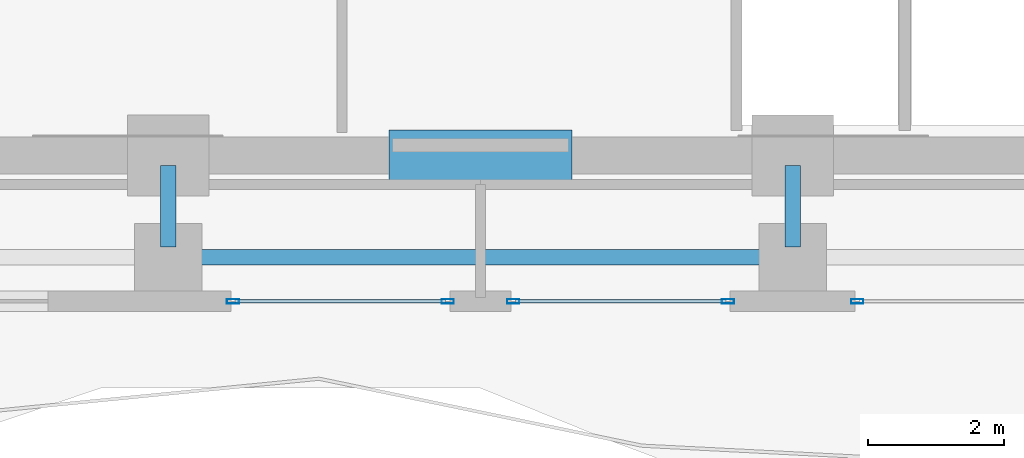
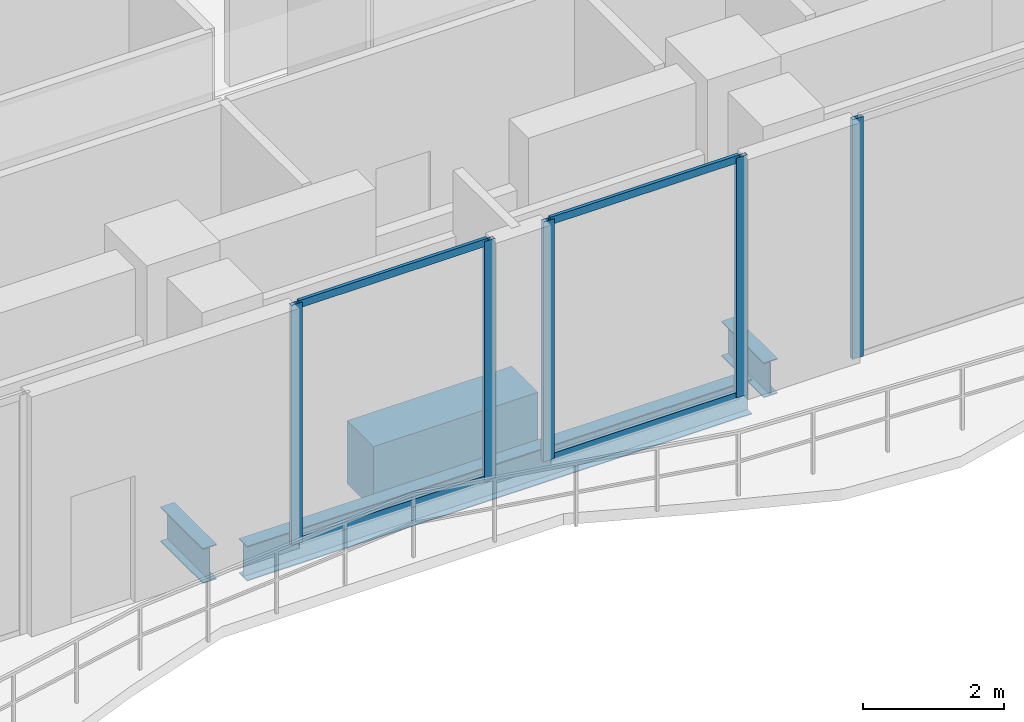
# One storey, part 4 of 24: 9 members, 4 beams, 3 elements without a shape of their own.
"""IFC4 building model written with IfcOpenShell, lengths in metres."""

from ifc_helpers import new_model, si_unit, direction, frame, origin, origin_2d, place, context, subcontext, project, spatial, rectangle, hollow_rectangle, i_section, extrude, material, layer, layer_set, material_profile, profile_set, type_object, element, aggregate, save


model = new_model("IFC4")

# Units and contexts
model_context = context("Model", 3, precision=1e-05, world=origin(), true_north=direction((0.0, 1.0)))
body_context = subcontext(model_context, "Body", "Model", "MODEL_VIEW")
ifc_project = project(units=[si_unit("LENGTHUNIT", "METRE"), si_unit("AREAUNIT", "SQUARE_METRE"), si_unit("VOLUMEUNIT", "CUBIC_METRE"), si_unit("PLANEANGLEUNIT", "RADIAN"), si_unit("MASSUNIT", "GRAM", prefix="KILO")], contexts=[model_context])

# Site, building, storey
site_placement = place(None, origin())
site = spatial("IfcSite", under=ifc_project, at=site_placement, CompositionType="ELEMENT")
building_placement = place(site_placement, origin())
building = spatial("IfcBuilding", under=site, at=building_placement, Name="Zuhayl Quay Hotel", CompositionType="ELEMENT")
storey_placement = place(building_placement, frame((0.0, 0.0, 292.85009765625)))
storey = spatial("IfcBuildingStorey", under=building, at=storey_placement, Name="L74", CompositionType="ELEMENT", Elevation=292.85009765625)

# Beams
ifc_material_1 = material(Name="Steel ASTM A992 Grade 50", Category="steel")
ifc_material_profile_1 = material_profile(ifc_material_1, i_section(OverallWidth=0.22802734375, OverallDepth=0.60693359375, WebThickness=0.01123046875, FlangeThickness=0.017333984375, at=origin_2d()), Name="W24X76")
ifc_profile_set_1 = profile_set([ifc_material_profile_1], Name="Steel ASTM A992 Grade 50")
beam_type_1 = type_object("IfcBeamType", Name="BM_B3_W24X76", PredefinedType="BEAM", material=ifc_profile_set_1)
beam_1_placement = place(storey_placement, frame((-4.139892578125, 0.64990234375, -0.523681640625), z_axis=(1.0, 0.0, 0.0), x_axis=(0.0, 1.0, 0.0)))
element("IfcBeam", 1, at=beam_1_placement, inside=storey, type_object=beam_type_1, Name="L74 Floor Beam RG_L74_02", PredefinedType="BEAM", context=body_context, shape_type="SweptSolid", body=[
    extrude(i_section(OverallWidth=0.22802734375, OverallDepth=0.60693359375, WebThickness=0.01123046875, FlangeThickness=0.017333984375, at=origin_2d()), origin(), (0.0, 0.0, 1.0), 8.27978515625),
])
for number, where, z_axis, x_axis, name in (
    (2, (-4.60009765625, 0.800048828125, -0.523681640625), (0.0, 1.0, 0.0), (-1.0, 0.0, 0.0), "L74 Floor Beam FG_S_L74_2"),
    (3, (4.60009765625, 0.800048828125, -0.523681640625), (0.0, 1.0, 0.0), (-1.0, 0.0, 0.0), "L74 Floor Beam FG_S_L74_3"),
):
    element("IfcBeam", number, at=place(storey_placement, frame(where, z_axis=z_axis, x_axis=x_axis)), inside=storey, type_object=beam_type_1, Name=name, PredefinedType="BEAM", context=body_context, shape_type="SweptSolid", body=[
        extrude(i_section(OverallWidth=0.22802734375, OverallDepth=0.60693359375, WebThickness=0.01123046875, FlangeThickness=0.017333984375, at=origin_2d()), origin(), (0.0, 0.0, 1.0), 1.199951171875),
    ])
ifc_material_2 = material(Name="Concrete C60/75", Category="concrete")
ifc_material_profile_2 = material_profile(ifc_material_2, rectangle(XDim=0.75, YDim=1.10009765625, at=origin_2d()), Name="RC750X1100")
ifc_profile_set_2 = profile_set([ifc_material_profile_2], Name="Concrete C60/75")
beam_type_2 = type_object("IfcBeamType", Name="BM_CB2_RC750", PredefinedType="T_BEAM", material=ifc_profile_set_2)
beam_2_placement = place(storey_placement, frame((-1.35009765625, 2.14990234375, -0.77001953125), z_axis=(1.0, 0.0, 0.0), x_axis=(0.0, 1.0, 0.0)))
element("IfcBeam", 4, at=beam_2_placement, inside=storey, type_object=beam_type_2, Name="L74 Core Coupling Beam South", PredefinedType="T_BEAM", context=body_context, shape_type="SweptSolid", body=[
    extrude(rectangle(XDim=0.75, YDim=1.10009765625, at=origin_2d()), origin(), (0.0, 0.0, 1.0), 2.7001953125),
])

# Curtain wall, member
ifc_material_3 = material(Name="Anodised Aluminium 6063-T6", Category="aluminium")
ifc_layer = layer(ifc_material_3, 0.169921875, Name="Anodised Aluminium 6063-T6", Category="aluminium")
ifc_layer_set = layer_set([ifc_layer], Name="Anodised Aluminium 6063-T6")
curtain_wall_type = type_object("IfcCurtainWallType", Name="CW_SYS_Z4", PredefinedType="USERDEFINED", material=ifc_layer_set)
curtain_wall_1_placement = place(storey_placement, origin())
curtain_wall_1 = element("IfcCurtainWall", 5, at=curtain_wall_1_placement, inside=storey, type_object=curtain_wall_type, Name="L74 Curtain Wall ENV_L74_S_CW1", ObjectType="UNITISED CURTAIN WALL", PredefinedType="USERDEFINED")
ifc_material_4 = material(Name="Black-anodised aluminium 6063-T6", Category="aluminium")
ifc_material_profile_3 = material_profile(ifc_material_4, hollow_rectangle(XDim=0.06494140625, YDim=0.179931640625, WallThickness=0.00341796875, at=origin_2d()), Name="ALU180X65")
ifc_profile_set_3 = profile_set([ifc_material_profile_3], Name="Black-anodised aluminium 6063-T6")
member_type_1 = type_object("IfcMemberType", Name="MB_CW_MUL_180", PredefinedType="MULLION", material=ifc_profile_set_3)
member_1_placement = place(storey_placement, frame((5.552490234375, 0.0, 0.0), z_axis=(0.0, 0.0, 1.0), x_axis=(0.0, -1.0, 0.0)))
member_1 = element("IfcMember", 6, at=member_1_placement, type_object=member_type_1, Name="CW-Z4 mullion 2", PredefinedType="MULLION", context=body_context, shape_type="SweptSolid", body=[
    extrude(hollow_rectangle(XDim=0.06494140625, YDim=0.179931640625, WallThickness=0.00341796875, at=origin_2d()), origin(), (0.0, 0.0, 1.0), 4.159912109375),
])
aggregate(curtain_wall_1, [member_1])

# Curtain wall, members
curtain_wall_2_placement = place(storey_placement, origin())
curtain_wall_2 = element("IfcCurtainWall", 7, at=curtain_wall_2_placement, inside=storey, type_object=curtain_wall_type, Name="L74 Curtain Wall ENV_L74_S_CW2", ObjectType="UNITISED CURTAIN WALL", PredefinedType="USERDEFINED")
member_2_placement = place(storey_placement, frame((3.6474609375, 0.0, 0.0), z_axis=(0.0, 0.0, 1.0), x_axis=(0.0, -1.0, 0.0)))
member_2 = element("IfcMember", 8, at=member_2_placement, type_object=member_type_1, Name="CW-Z4 mullion 1", PredefinedType="MULLION", context=body_context, shape_type="SweptSolid", body=[
    extrude(hollow_rectangle(XDim=0.06494140625, YDim=0.179931640625, WallThickness=0.00341796875, at=origin_2d()), origin(), (0.0, 0.0, 1.0), 4.159912109375),
])
member_3_placement = place(storey_placement, frame((0.482421875, 0.0, 0.0), z_axis=(0.0, 0.0, 1.0), x_axis=(0.0, -1.0, 0.0)))
member_3 = element("IfcMember", 9, at=member_3_placement, type_object=member_type_1, Name="CW-Z4 mullion 2", PredefinedType="MULLION", context=body_context, shape_type="SweptSolid", body=[
    extrude(hollow_rectangle(XDim=0.06494140625, YDim=0.179931640625, WallThickness=0.00341796875, at=origin_2d()), origin(), (0.0, 0.0, 1.0), 4.159912109375),
])

curtain_wall_3_placement = place(storey_placement, origin())
curtain_wall_3 = element("IfcCurtainWall", 10, at=curtain_wall_3_placement, inside=storey, type_object=curtain_wall_type, Name="L74 Curtain Wall ENV_L74_S_CW3", ObjectType="UNITISED CURTAIN WALL", PredefinedType="USERDEFINED")
member_4_placement = place(storey_placement, frame((-0.482421875, 0.0, 0.0), z_axis=(0.0, 0.0, 1.0), x_axis=(0.0, -1.0, 0.0)))
member_4 = element("IfcMember", 11, at=member_4_placement, type_object=member_type_1, Name="CW-Z4 mullion 1", PredefinedType="MULLION", context=body_context, shape_type="SweptSolid", body=[
    extrude(hollow_rectangle(XDim=0.06494140625, YDim=0.179931640625, WallThickness=0.00341796875, at=origin_2d()), origin(), (0.0, 0.0, 1.0), 4.159912109375),
])
member_5_placement = place(storey_placement, frame((-3.6474609375, 0.0, 0.0), z_axis=(0.0, 0.0, 1.0), x_axis=(0.0, -1.0, 0.0)))
member_5 = element("IfcMember", 12, at=member_5_placement, type_object=member_type_1, Name="CW-Z4 mullion 2", PredefinedType="MULLION", context=body_context, shape_type="SweptSolid", body=[
    extrude(hollow_rectangle(XDim=0.06494140625, YDim=0.179931640625, WallThickness=0.00341796875, at=origin_2d()), origin(), (0.0, 0.0, 1.0), 4.159912109375),
])

# Member
ifc_material_profile_4 = material_profile(ifc_material_4, hollow_rectangle(XDim=0.054931640625, YDim=0.1298828125, WallThickness=0.0029296875, at=origin_2d()), Name="ALU130X55")
ifc_profile_set_4 = profile_set([ifc_material_profile_4], Name="Black-anodised aluminium 6063-T6")
member_type_2 = type_object("IfcMemberType", Name="MB_CW_TRN_130", PredefinedType="USERDEFINED", material=ifc_profile_set_4)
member_6_placement = place(storey_placement, frame((3.614990234375, 0.0, 0.02734375), z_axis=(-1.0, 0.0, 0.0), x_axis=(0.0, -1.0, 0.0)))
member_6 = element("IfcMember", 13, at=member_6_placement, type_object=member_type_2, Name="CW-Z4 transom 1.1", ObjectType="TRANSOM", PredefinedType="USERDEFINED", context=body_context, shape_type="SweptSolid", body=[
    extrude(hollow_rectangle(XDim=0.054931640625, YDim=0.1298828125, WallThickness=0.0029296875, at=origin_2d()), origin(), (0.0, 0.0, 1.0), 3.10009765625),
])

member_7_placement = place(storey_placement, frame((3.614990234375, 0.0, 4.13232421875), z_axis=(-1.0, 0.0, 0.0), x_axis=(0.0, -1.0, 0.0)))
member_7 = element("IfcMember", 14, at=member_7_placement, type_object=member_type_2, Name="CW-Z4 transom 1.2", ObjectType="TRANSOM", PredefinedType="USERDEFINED", context=body_context, shape_type="SweptSolid", body=[
    extrude(hollow_rectangle(XDim=0.054931640625, YDim=0.1298828125, WallThickness=0.0029296875, at=origin_2d()), origin(), (0.0, 0.0, 1.0), 3.10009765625),
])

aggregate(curtain_wall_2, [member_2, member_3, member_6, member_7])

member_8_placement = place(storey_placement, frame((-0.514892578125, 0.0, 0.02734375), z_axis=(-1.0, 0.0, 0.0), x_axis=(0.0, -1.0, 0.0)))
member_8 = element("IfcMember", 15, at=member_8_placement, type_object=member_type_2, Name="CW-Z4 transom 1.1", ObjectType="TRANSOM", PredefinedType="USERDEFINED", context=body_context, shape_type="SweptSolid", body=[
    extrude(hollow_rectangle(XDim=0.054931640625, YDim=0.1298828125, WallThickness=0.0029296875, at=origin_2d()), origin(), (0.0, 0.0, 1.0), 3.10009765625),
])

member_9_placement = place(storey_placement, frame((-0.514892578125, 0.0, 4.13232421875), z_axis=(-1.0, 0.0, 0.0), x_axis=(0.0, -1.0, 0.0)))
member_9 = element("IfcMember", 16, at=member_9_placement, type_object=member_type_2, Name="CW-Z4 transom 1.2", ObjectType="TRANSOM", PredefinedType="USERDEFINED", context=body_context, shape_type="SweptSolid", body=[
    extrude(hollow_rectangle(XDim=0.054931640625, YDim=0.1298828125, WallThickness=0.0029296875, at=origin_2d()), origin(), (0.0, 0.0, 1.0), 3.10009765625),
])

aggregate(curtain_wall_3, [member_4, member_5, member_8, member_9])

save(model, "model.ifc")
